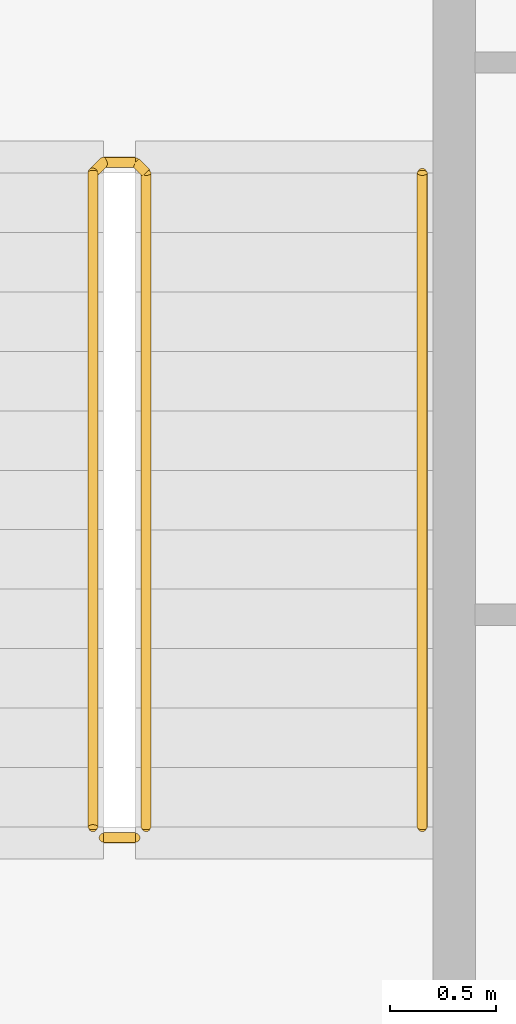
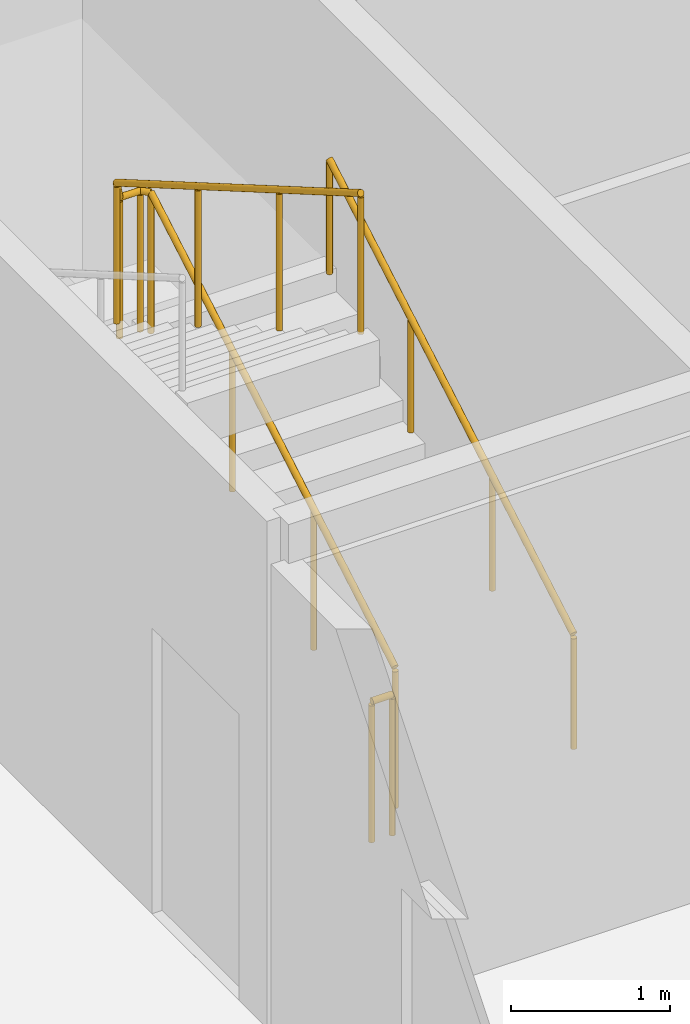
# One storey, part 26 of 28: 3 railings.
"""IFC4 building model written with IfcOpenShell, lengths in metres."""

from ifc_helpers import new_model, si_unit, direction, frame, origin, origin_2d, place, context, subcontext, project, spatial, circle, extrude, material, type_object, element, save


model = new_model("IFC4")

# Units and contexts
model_context = context("Model", 3, precision=1e-05, world=origin(), true_north=direction((0.0, 1.0)))
body_context = subcontext(model_context, "Body", "Model", "MODEL_VIEW")
ifc_project = project(units=[si_unit("LENGTHUNIT", "METRE"), si_unit("AREAUNIT", "SQUARE_METRE"), si_unit("VOLUMEUNIT", "CUBIC_METRE"), si_unit("PLANEANGLEUNIT", "RADIAN"), si_unit("MASSUNIT", "GRAM", prefix="KILO")], contexts=[model_context])

# Site, building, storey
site_placement = place(None, origin())
site = spatial("IfcSite", under=ifc_project, at=site_placement, CompositionType="ELEMENT")
building_placement = place(site_placement, origin())
building = spatial("IfcBuilding", under=site, at=building_placement, Name="Kheshtan School and Residences Tower", CompositionType="ELEMENT")
storey_placement = place(building_placement, frame((0.0, 0.0, 94.10009765625)))
storey = spatial("IfcBuildingStorey", under=building, at=storey_placement, Name="L21", CompositionType="ELEMENT", Elevation=94.10009765625)

# Railings
ifc_material_1 = material(Name="Stainless steel balustrade", Category="steel")
railing_type_1 = type_object("IfcRailingType", Name="Stair guard 1100", PredefinedType="GUARDRAIL", material=ifc_material_1)
railing_1_placement = place(storey_placement, frame((35.0, 80.89990234375, 0.162353515625)))
element("IfcRailing", 1, at=railing_1_placement, inside=storey, type_object=railing_type_1, Name="L21 ST3 stair guard 1", PredefinedType="GUARDRAIL", context=body_context, shape_type="SweptSolid", body=[
    extrude(circle(Radius=0.02392578125, at=origin_2d()), frame((0.0, 0.0, 1.076171875), z_axis=(0.0, 0.864890721111, 0.501960198159), x_axis=(-1.0, 0.0, 0.0)), (0.0, 0.0, 1.0), 3.561279296875),
    extrude(circle(Radius=0.02392578125, at=origin_2d()), frame((0.0, 3.080078125, 2.86376953125), z_axis=(-0.707106781187, 0.707106781187, 0.0), x_axis=(-0.707106781187, -0.707106781187, 0.0)), (0.0, 0.0, 1.0), 0.07080078125),
    extrude(circle(Radius=0.02392578125, at=origin_2d()), frame((-0.050048828125, 3.130126953125, 2.86376953125), z_axis=(-1.0, 0.0, 0.0), x_axis=(0.0, -1.0, 0.0)), (0.0, 0.0, 1.0), 0.14990234375),
    extrude(circle(Radius=0.02392578125, at=origin_2d()), frame((-0.199951171875, 3.130126953125, 2.86376953125), z_axis=(-0.282583949758, -0.282583949758, 0.916674763849), x_axis=(0.707106781187, -0.707106781187, 0.0)), (0.0, 0.0, 1.0), 0.177001953125),
    extrude(circle(Radius=0.02392578125, at=origin_2d()), frame((-0.25, 3.080078125, 3.02587890625), z_axis=(0.0, -0.864890721111, 0.501960198159), x_axis=(1.0, 0.0, 0.0)), (0.0, 0.0, 1.0), 3.561279296875),
    extrude(circle(Radius=0.02099609375, at=origin_2d()), origin(), (0.0, 0.0, 1.0), 1.052001953125),
    extrude(circle(Radius=0.02099609375, at=origin_2d()), frame((0.0, 1.026611328125, 0.595947265625)), (0.0, 0.0, 1.0), 1.052001953125),
    extrude(circle(Radius=0.02099609375, at=origin_2d()), frame((0.0, 2.053466796875, 1.191650390625)), (0.0, 0.0, 1.0), 1.052001953125),
    extrude(circle(Radius=0.02099609375, at=origin_2d()), frame((0.0, 3.080078125, 1.78759765625)), (0.0, 0.0, 1.0), 1.052001953125),
    extrude(circle(Radius=0.02099609375, at=origin_2d()), frame((-0.050048828125, 3.130126953125, 1.78759765625)), (0.0, 0.0, 1.0), 1.052001953125),
    extrude(circle(Radius=0.02099609375, at=origin_2d()), frame((-0.199951171875, 3.130126953125, 1.78759765625)), (0.0, 0.0, 1.0), 1.052001953125),
    extrude(circle(Radius=0.02099609375, at=origin_2d()), frame((-0.25, 3.080078125, 1.949951171875)), (0.0, 0.0, 1.0), 1.052001953125),
    extrude(circle(Radius=0.02099609375, at=origin_2d()), frame((-0.25, 2.053466796875, 2.5458984375)), (0.0, 0.0, 1.0), 1.052001953125),
    extrude(circle(Radius=0.02099609375, at=origin_2d()), frame((-0.25, 1.026611328125, 3.1416015625)), (0.0, 0.0, 1.0), 1.052001953125),
    extrude(circle(Radius=0.02099609375, at=origin_2d()), frame((-0.25, 0.0, 3.737548828125)), (0.0, 0.0, 1.0), 1.052001953125),
])
railing_2_placement = place(storey_placement, frame((34.949951171875, 80.85009765625, 0.0)))
element("IfcRailing", 2, at=railing_2_placement, inside=storey, type_object=railing_type_1, Name="L21 ST3 stair guard 2", PredefinedType="GUARDRAIL", context=body_context, shape_type="SweptSolid", body=[
    extrude(circle(Radius=0.02392578125, at=origin_2d()), frame((0.0, 0.0, 1.076171875), z_axis=(-1.0, 0.0, 0.0), x_axis=(0.0, -1.0, 0.0)), (0.0, 0.0, 1.0), 0.14990234375),
    extrude(circle(Radius=0.02099609375, at=origin_2d()), origin(), (0.0, 0.0, 1.0), 1.052001953125),
    extrude(circle(Radius=0.02099609375, at=origin_2d()), frame((-0.14990234375, 0.0, 0.0)), (0.0, 0.0, 1.0), 1.052001953125),
])
ifc_material_2 = material(Name="Stainless steel handrail", Category="steel")
railing_type_2 = type_object("IfcRailingType", Name="Stair handrail 900", PredefinedType="HANDRAIL", material=ifc_material_2)
railing_3_placement = place(storey_placement, frame((36.300048828125, 80.89990234375, 0.162353515625)))
element("IfcRailing", 3, at=railing_3_placement, inside=storey, type_object=railing_type_2, Name="L21 ST3 stair handrail 1", PredefinedType="HANDRAIL", context=body_context, shape_type="SweptSolid", body=[
    extrude(circle(Radius=0.02392578125, at=origin_2d()), frame((0.0, 0.0, 0.8759765625), z_axis=(0.0, 0.864890721111, 0.501960198159), x_axis=(-1.0, 0.0, 0.0)), (0.0, 0.0, 1.0), 3.561279296875),
    extrude(circle(Radius=0.02099609375, at=origin_2d()), origin(), (0.0, 0.0, 1.0), 0.851806640625),
    extrude(circle(Radius=0.02099609375, at=origin_2d()), frame((0.0, 1.026611328125, 0.595947265625)), (0.0, 0.0, 1.0), 0.851806640625),
    extrude(circle(Radius=0.02099609375, at=origin_2d()), frame((0.0, 2.053466796875, 1.191650390625)), (0.0, 0.0, 1.0), 0.851806640625),
    extrude(circle(Radius=0.02099609375, at=origin_2d()), frame((0.0, 3.080078125, 1.78759765625)), (0.0, 0.0, 1.0), 0.851806640625),
])

save(model, "model.ifc")
